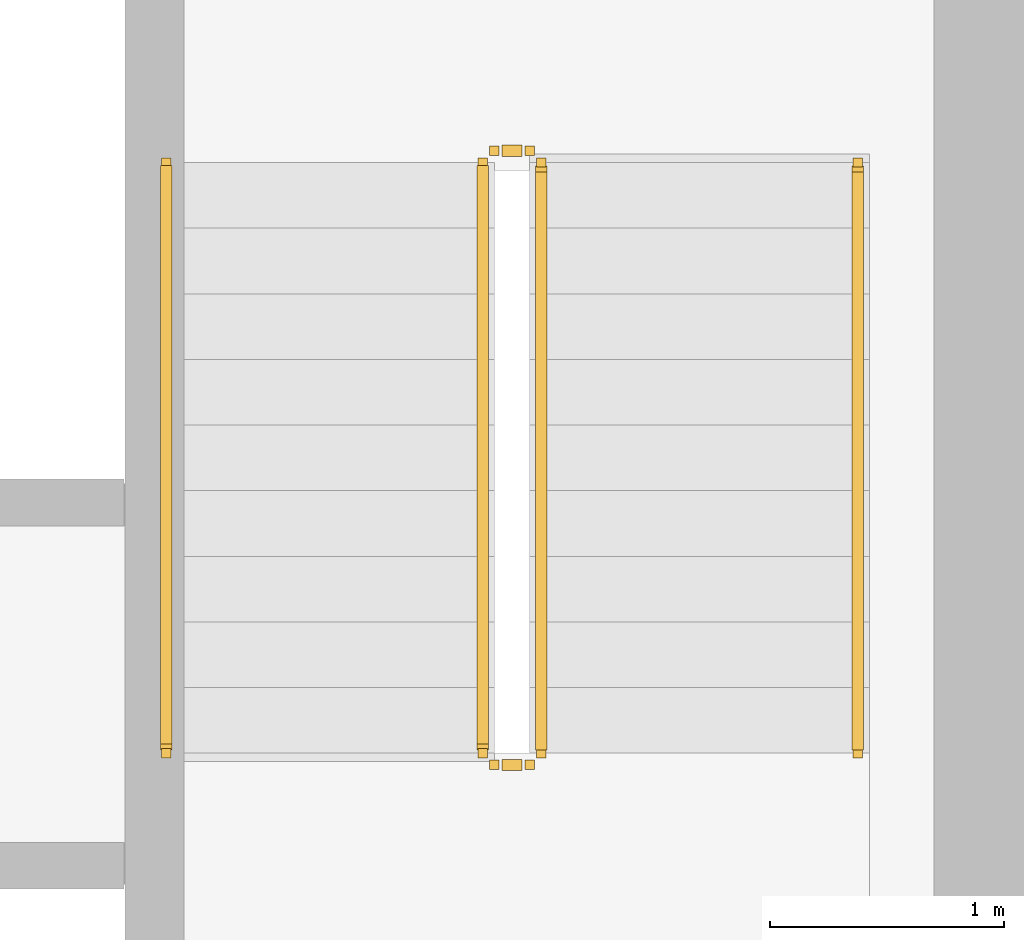
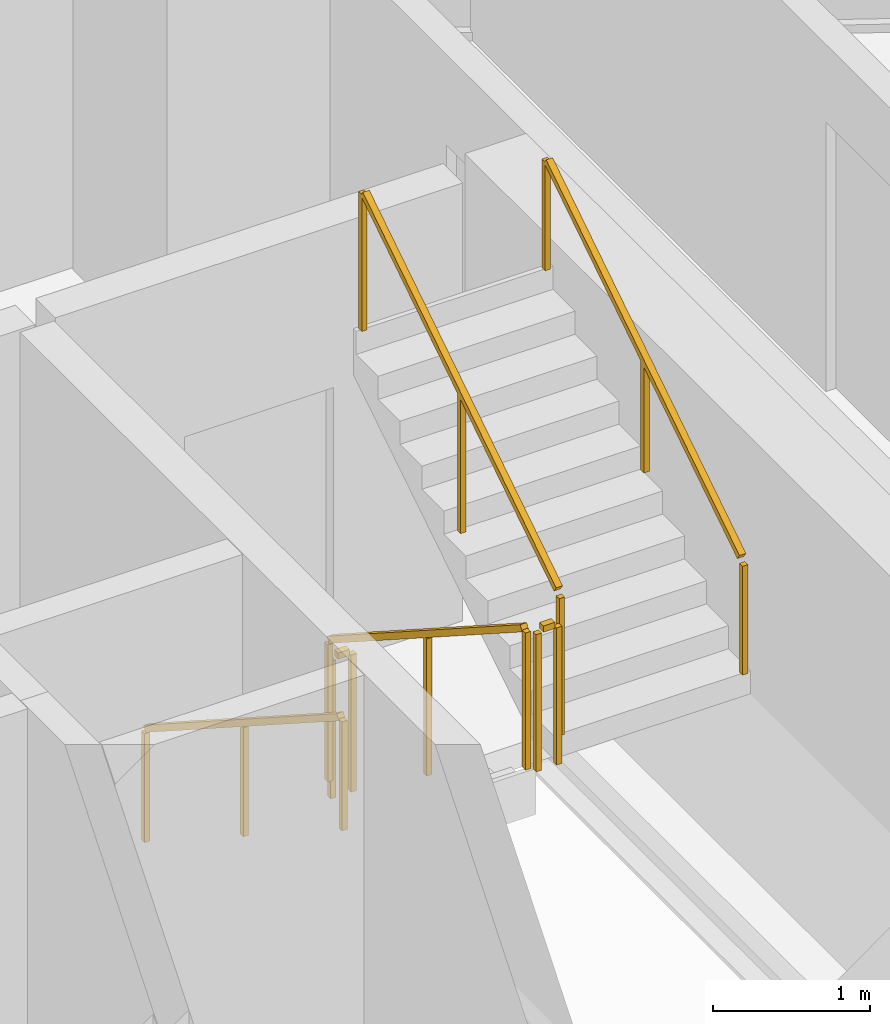
# One storey, part 20 of 21: 6 railings.
"""IFC4 building model written with IfcOpenShell, lengths in metres."""

from ifc_helpers import new_model, si_unit, direction, frame, origin, origin_2d, place, context, subcontext, project, spatial, rectangle, extrude, material, type_object, element, save


model = new_model("IFC4")

# Units and contexts
model_context = context("Model", 3, precision=1e-05, world=origin(), true_north=direction((0.0, 1.0)))
body_context = subcontext(model_context, "Body", "Model", "MODEL_VIEW")
ifc_project = project(units=[si_unit("LENGTHUNIT", "METRE"), si_unit("AREAUNIT", "SQUARE_METRE"), si_unit("VOLUMEUNIT", "CUBIC_METRE"), si_unit("PLANEANGLEUNIT", "RADIAN"), si_unit("MASSUNIT", "GRAM", prefix="KILO")], contexts=[model_context])

# Site, building, storey
site_placement = place(None, origin())
site = spatial("IfcSite", under=ifc_project, at=site_placement, CompositionType="ELEMENT")
building_placement = place(site_placement, origin())
building = spatial("IfcBuilding", under=site, at=building_placement, Name="Tharavind Bronze Gate", CompositionType="ELEMENT")
storey_placement = place(building_placement, frame((0.0, 0.0, 156.800048828125)))
storey = spatial("IfcBuildingStorey", under=building, at=storey_placement, Name="L40", CompositionType="ELEMENT", Elevation=156.800048828125)

# Railings
ifc_material = material(Name="Brushed Bronze Alloy", Category="metal")
railing_type_1 = type_object("IfcRailingType", Name="STAIR BRONZE HANDRAIL 900", PredefinedType="HANDRAIL", material=ifc_material)
railing_1_placement = place(storey_placement, frame((5.39990234375, 2.25, 0.179931640625)))
element("IfcRailing", 1, at=railing_1_placement, inside=storey, type_object=railing_type_1, Name="L40 ST2 stair handrail 1", PredefinedType="HANDRAIL", context=body_context, shape_type="SweptSolid", body=[
    extrude(rectangle(XDim=0.048095703125, YDim=0.048095703125, at=origin_2d()), frame((0.0, -0.02685546875, 0.89306640625), z_axis=(0.0, -0.841162588446, 0.540782303519), x_axis=(1.0, 0.0, 0.0)), (0.0, 0.0, 1.0), 2.931884765625),
    extrude(rectangle(XDim=0.0400390625, YDim=0.0400390625, at=origin_2d()), origin(), (0.0, 0.0, 1.0), 0.847900390625),
    extrude(rectangle(XDim=0.0400390625, YDim=0.0400390625, at=origin_2d()), frame((0.0, -1.260009765625, 0.81005859375)), (0.0, 0.0, 1.0), 0.847900390625),
    extrude(rectangle(XDim=0.0400390625, YDim=0.0400390625, at=origin_2d()), frame((0.0, -2.52001953125, 1.6201171875)), (0.0, 0.0, 1.0), 0.847900390625),
])
railing_2_placement = place(storey_placement, frame((8.35009765625, -0.27001953125, 1.97998046875)))
element("IfcRailing", 2, at=railing_2_placement, inside=storey, type_object=railing_type_1, Name="L40 ST2 stair handrail 2", PredefinedType="HANDRAIL", context=body_context, shape_type="SweptSolid", body=[
    extrude(rectangle(XDim=0.048095703125, YDim=0.048095703125, at=origin_2d()), frame((0.0, 0.02685546875, 0.89306640625), z_axis=(0.0, 0.841199657755, 0.540724639528), x_axis=(-1.0, 0.0, 0.0)), (0.0, 0.0, 1.0), 2.931640625),
    extrude(rectangle(XDim=0.0400390625, YDim=0.0400390625, at=origin_2d()), origin(), (0.0, 0.0, 1.0), 0.847900390625),
    extrude(rectangle(XDim=0.0400390625, YDim=0.0400390625, at=origin_2d()), frame((0.0, 1.260009765625, 0.81005859375)), (0.0, 0.0, 1.0), 0.847900390625),
    extrude(rectangle(XDim=0.0400390625, YDim=0.0400390625, at=origin_2d()), frame((0.0, 2.52001953125, 1.619873046875)), (0.0, 0.0, 1.0), 0.847900390625),
])
railing_type_2 = type_object("IfcRailingType", Name="STAIR WELL GUARD RAILING 1120", PredefinedType="GUARDRAIL", material=ifc_material)
railing_3_placement = place(storey_placement, frame((6.75, 2.25, 0.179931640625)))
element("IfcRailing", 3, at=railing_3_placement, inside=storey, type_object=railing_type_2, Name="L40 ST2 stair guard 1", PredefinedType="GUARDRAIL", context=body_context, shape_type="SweptSolid", body=[
    extrude(rectangle(XDim=0.048095703125, YDim=0.048095703125, at=origin_2d()), frame((0.0, -0.02685546875, 1.11328125), z_axis=(0.0, -0.841162588446, 0.540782303519), x_axis=(1.0, 0.0, 0.0)), (0.0, 0.0, 1.0), 2.931884765625),
    extrude(rectangle(XDim=0.0400390625, YDim=0.0400390625, at=origin_2d()), origin(), (0.0, 0.0, 1.0), 1.068115234375),
    extrude(rectangle(XDim=0.0400390625, YDim=0.0400390625, at=origin_2d()), frame((0.0, -1.260009765625, 0.81005859375)), (0.0, 0.0, 1.0), 1.068115234375),
    extrude(rectangle(XDim=0.0400390625, YDim=0.0400390625, at=origin_2d()), frame((0.0, -2.52001953125, 1.6201171875)), (0.0, 0.0, 1.0), 1.068115234375),
])
railing_4_placement = place(storey_placement, frame((6.800048828125, -0.320068359375, 1.800048828125)))
element("IfcRailing", 4, at=railing_4_placement, inside=storey, type_object=railing_type_2, Name="L40 ST2 stair guard 2", PredefinedType="GUARDRAIL", context=body_context, shape_type="SweptSolid", body=[
    extrude(rectangle(XDim=0.048095703125, YDim=0.048095703125, at=origin_2d()), frame((0.031982421875, 0.0, 1.09619140625), z_axis=(1.0, 0.0, 0.0), x_axis=(0.0, 1.0, 0.0)), (0.0, 0.0, 1.0), 0.0859375),
    extrude(rectangle(XDim=0.0400390625, YDim=0.0400390625, at=origin_2d()), origin(), (0.0, 0.0, 1.0), 1.068115234375),
    extrude(rectangle(XDim=0.0400390625, YDim=0.0400390625, at=origin_2d()), frame((0.14990234375, 0.0, 0.0)), (0.0, 0.0, 1.0), 1.068115234375),
])
railing_5_placement = place(storey_placement, frame((7.0, -0.27001953125, 1.97998046875)))
element("IfcRailing", 5, at=railing_5_placement, inside=storey, type_object=railing_type_2, Name="L40 ST2 stair guard 3", PredefinedType="GUARDRAIL", context=body_context, shape_type="SweptSolid", body=[
    extrude(rectangle(XDim=0.048095703125, YDim=0.048095703125, at=origin_2d()), frame((0.0, 0.02685546875, 1.11328125), z_axis=(0.0, 0.841199657755, 0.540724639528), x_axis=(-1.0, 0.0, 0.0)), (0.0, 0.0, 1.0), 2.931640625),
    extrude(rectangle(XDim=0.0400390625, YDim=0.0400390625, at=origin_2d()), origin(), (0.0, 0.0, 1.0), 1.068115234375),
    extrude(rectangle(XDim=0.0400390625, YDim=0.0400390625, at=origin_2d()), frame((0.0, 1.260009765625, 0.81005859375)), (0.0, 0.0, 1.0), 1.068115234375),
    extrude(rectangle(XDim=0.0400390625, YDim=0.0400390625, at=origin_2d()), frame((0.0, 2.52001953125, 1.619873046875)), (0.0, 0.0, 1.0), 1.068115234375),
])
railing_6_placement = place(storey_placement, frame((6.800048828125, 2.300048828125, 0.0)))
element("IfcRailing", 6, at=railing_6_placement, inside=storey, type_object=railing_type_2, Name="L40 ST2 stair guard 4", PredefinedType="GUARDRAIL", context=body_context, shape_type="SweptSolid", body=[
    extrude(rectangle(XDim=0.048095703125, YDim=0.048095703125, at=origin_2d()), frame((0.031982421875, 0.0, 1.09619140625), z_axis=(1.0, 0.0, 0.0), x_axis=(0.0, 1.0, 0.0)), (0.0, 0.0, 1.0), 0.0859375),
    extrude(rectangle(XDim=0.0400390625, YDim=0.0400390625, at=origin_2d()), origin(), (0.0, 0.0, 1.0), 1.068115234375),
    extrude(rectangle(XDim=0.0400390625, YDim=0.0400390625, at=origin_2d()), frame((0.14990234375, 0.0, 0.0)), (0.0, 0.0, 1.0), 1.068115234375),
])

save(model, "model.ifc")
